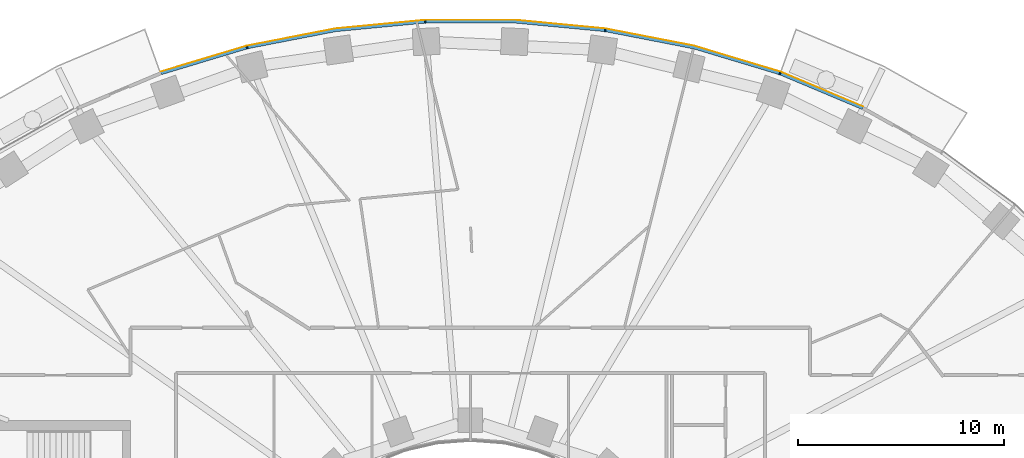
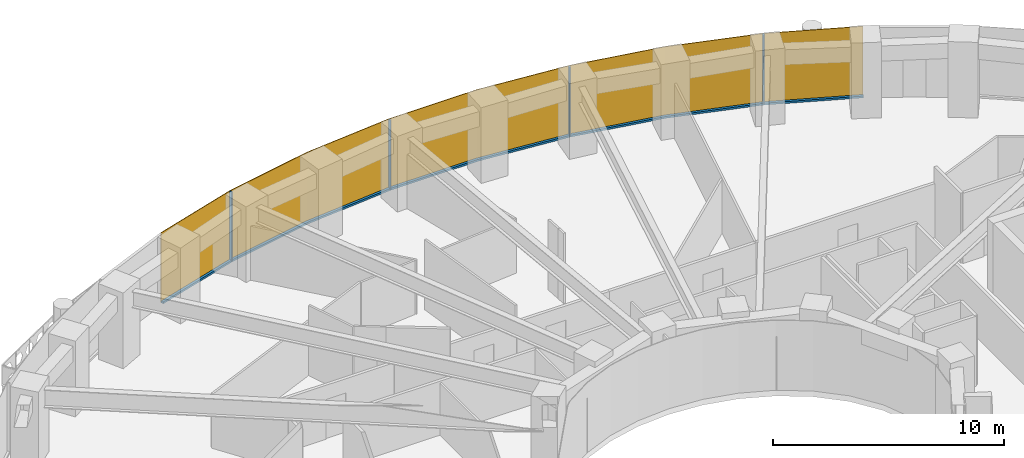
# One storey, part 12 of 15: 9 members, 1 curtain wall.
"""IFC4 building model written with IfcOpenShell, lengths in metres."""

from ifc_helpers import new_model, si_unit, direction, frame, origin, origin_2d, place, context, subcontext, project, spatial, polyline, rectangle, outline, extrude, material, layer, layer_set, material_profile, profile_set, type_object, element, aggregate, save


model = new_model("IFC4")

# Units and contexts
model_context = context("Model", 3, precision=1e-05, world=origin(), true_north=direction((0.0, 1.0)))
body_context = subcontext(model_context, "Body", "Model", "MODEL_VIEW")
ifc_project = project(units=[si_unit("LENGTHUNIT", "METRE"), si_unit("AREAUNIT", "SQUARE_METRE"), si_unit("VOLUMEUNIT", "CUBIC_METRE"), si_unit("PLANEANGLEUNIT", "RADIAN"), si_unit("MASSUNIT", "GRAM", prefix="KILO")], contexts=[model_context])

# Member
ifc_material_1 = material(Name="Aluminium 6063-T6 black anodised", Category="aluminium")
ifc_material_profile = material_profile(ifc_material_1, rectangle(XDim=0.1201171875, YDim=0.06005859375, at=origin_2d()), Name="120x60")
ifc_profile_set = profile_set([ifc_material_profile], Name="Aluminium 6063-T6 black anodised")
member_type_1 = type_object("IfcMemberType", Name="ENV-MULLION-A-120", PredefinedType="MULLION", material=ifc_profile_set)
site_placement = place(None, origin())
building_placement = place(site_placement, origin())
storey_placement = place(building_placement, frame((0.0, 0.0, 92.0)))
member_1_placement = place(storey_placement, frame((15.0341796875, 25.34375, 0.0), z_axis=(0.0, 0.0, 1.0), x_axis=(-0.338379256581, -0.941009818608, 0.0)))
member_1 = element("IfcMember", 1, at=member_1_placement, type_object=member_type_1, Name="Mullion A radial 09", PredefinedType="MULLION", context=body_context, shape_type="SweptSolid", body=[
    extrude(rectangle(XDim=0.1201171875, YDim=0.06005859375, at=origin_2d()), origin(), (0.0, 0.0, 1.0), 3.699951171875),
])

member_2_placement = place(storey_placement, frame((6.54638671875, 27.440185546875, 0.0), z_axis=(0.0, 0.0, 1.0), x_axis=(-0.143082012705, -0.989710835366, 0.0)))
member_2 = element("IfcMember", 2, at=member_2_placement, type_object=member_type_1, Name="Mullion A radial 11", PredefinedType="MULLION", context=body_context, shape_type="SweptSolid", body=[
    extrude(rectangle(XDim=0.1201171875, YDim=0.06005859375, at=origin_2d()), origin(), (0.0, 0.0, 1.0), 3.699951171875),
])

member_3_placement = place(storey_placement, frame((-2.188720703125, 27.856201171875, 0.0), z_axis=(0.0, 0.0, 1.0), x_axis=(0.047557873581, -0.998868484166, 0.0)))
member_3 = element("IfcMember", 3, at=member_3_placement, type_object=member_type_1, Name="Mullion A radial 13", PredefinedType="MULLION", context=body_context, shape_type="SweptSolid", body=[
    extrude(rectangle(XDim=0.1201171875, YDim=0.06005859375, at=origin_2d()), origin(), (0.0, 0.0, 1.0), 3.699951171875),
])

member_4_placement = place(storey_placement, frame((-10.84326171875, 26.60498046875, 0.0), z_axis=(0.0, 0.0, 1.0), x_axis=(0.239799081534, -0.970822538106, 0.0)))
member_4 = element("IfcMember", 4, at=member_4_placement, type_object=member_type_1, Name="Mullion A radial 15", PredefinedType="MULLION", context=body_context, shape_type="SweptSolid", body=[
    extrude(rectangle(XDim=0.1201171875, YDim=0.06005859375, at=origin_2d()), origin(), (0.0, 0.0, 1.0), 3.699951171875),
])

ifc_material_2 = material(Name="Aluminium 6063-T6 black anodised", Category="aluminium")
member_type_2 = type_object("IfcMemberType", Name="ENV-TRANSOM-A", PredefinedType="USERDEFINED", material=ifc_material_2)
member_5_placement = place(storey_placement, origin())
member_5 = element("IfcMember", 5, at=member_5_placement, type_object=member_type_2, Name="Transom A radial 08-09", ObjectType="TRANSOM", PredefinedType="USERDEFINED", context=body_context, shape_type="SweptSolid", body=[
    extrude(outline(polyline([(19.07568359375, 23.709228515625), (15.080322265625, 25.389404296875), (15.03955078125, 25.276123046875), (19.02294921875, 23.601318359375), (19.07568359375, 23.709228515625)])), origin(), (0.0, 0.0, 1.0), 0.10009765625),
])

member_6_placement = place(storey_placement, origin())
member_6 = element("IfcMember", 6, at=member_6_placement, type_object=member_type_2, Name="Transom A radial 09-11", ObjectType="TRANSOM", PredefinedType="USERDEFINED", context=body_context, shape_type="SweptSolid", body=[
    extrude(outline(polyline([(15.027587890625, 25.408203125), (10.857666015625, 26.6630859375), (6.58251953125, 27.494140625), (6.5654296875, 27.375244140625), (10.828857421875, 26.54638671875), (14.987060546875, 25.295166015625), (15.027587890625, 25.408203125)])), origin(), (0.0, 0.0, 1.0), 0.10009765625),
])

member_7_placement = place(storey_placement, origin())
member_7 = element("IfcMember", 7, at=member_7_placement, type_object=member_type_2, Name="Transom A radial 11-13", ObjectType="TRANSOM", PredefinedType="USERDEFINED", context=body_context, shape_type="SweptSolid", body=[
    extrude(outline(polyline([(6.527099609375, 27.502197265625), (2.191650390625, 27.916015625), (-2.163818359375, 27.916015625), (-2.157958984375, 27.7958984375), (2.185791015625, 27.7958984375), (6.510009765625, 27.38330078125), (6.527099609375, 27.502197265625)])), origin(), (0.0, 0.0, 1.0), 0.10009765625),
])

member_8_placement = place(storey_placement, origin())
member_8 = element("IfcMember", 8, at=member_8_placement, type_object=member_type_2, Name="Transom A radial 13-15", ObjectType="TRANSOM", PredefinedType="USERDEFINED", context=body_context, shape_type="SweptSolid", body=[
    extrude(outline(polyline([(-2.219482421875, 27.913330078125), (-6.55517578125, 27.49951171875), (-10.830078125, 26.66845703125), (-10.80126953125, 26.552001953125), (-6.537841796875, 27.380615234375), (-2.2138671875, 27.793212890625), (-2.219482421875, 27.913330078125)])), origin(), (0.0, 0.0, 1.0), 0.10009765625),
])

member_9_placement = place(storey_placement, origin())
member_9 = element("IfcMember", 9, at=member_9_placement, type_object=member_type_2, Name="Transom A radial 15-16", ObjectType="TRANSOM", PredefinedType="USERDEFINED", context=body_context, shape_type="SweptSolid", body=[
    extrude(outline(polyline([(-10.884521484375, 26.655029296875), (-15.035400390625, 25.406005859375), (-14.99462890625, 25.292724609375), (-10.855712890625, 26.53857421875), (-10.884521484375, 26.655029296875)])), origin(), (0.0, 0.0, 1.0), 0.10009765625),
])

# Site, building, storey
site = spatial("IfcSite", under=ifc_project, at=site_placement, CompositionType="ELEMENT")
building = spatial("IfcBuilding", under=site, at=building_placement, Name="Noorbagh Ring Tower", CompositionType="ELEMENT")
storey = spatial("IfcBuildingStorey", under=building, at=storey_placement, Name="L20", CompositionType="ELEMENT", Elevation=92.0)

# Curtain wall
ifc_material_3 = material(Name="Glass dark tinted laminated", Category="glass")
ifc_layer = layer(ifc_material_3, 0.031982421875)
ifc_layer_set = layer_set([ifc_layer], Name="Glass dark tinted laminated")
curtain_wall_type = type_object("IfcCurtainWallType", Name="ENV-CW-A", PredefinedType="NOTDEFINED", material=ifc_layer_set)
curtain_wall_placement = place(storey_placement, origin())
curtain_wall = element("IfcCurtainWall", 10, at=curtain_wall_placement, inside=storey, type_object=curtain_wall_type, Name="Curtain wall A R08", PredefinedType="NOTDEFINED", context=body_context, shape_type="SweptSolid", body=[
    extrude(outline(polyline([(19.08984375, 23.738037109375), (15.065185546875, 25.430419921875), (10.865234375, 26.6943359375), (6.559814453125, 27.53125), (2.193115234375, 27.947998046875), (-2.193115234375, 27.947998046875), (-6.559814453125, 27.53125), (-10.865234375, 26.6943359375), (-15.046142578125, 25.43603515625), (-15.035400390625, 25.406005859375), (-10.857666015625, 26.6630859375), (-6.55517578125, 27.49951171875), (-2.191650390625, 27.916015625), (2.191650390625, 27.916015625), (6.55517578125, 27.49951171875), (10.857666015625, 26.6630859375), (15.054443359375, 25.400146484375), (19.07568359375, 23.709228515625), (19.08984375, 23.738037109375)])), origin(), (0.0, 0.0, 1.0), 3.699951171875),
])

aggregate(curtain_wall, [member_1, member_2, member_3, member_4, member_5, member_6, member_7, member_8, member_9])

save(model, "model.ifc")
